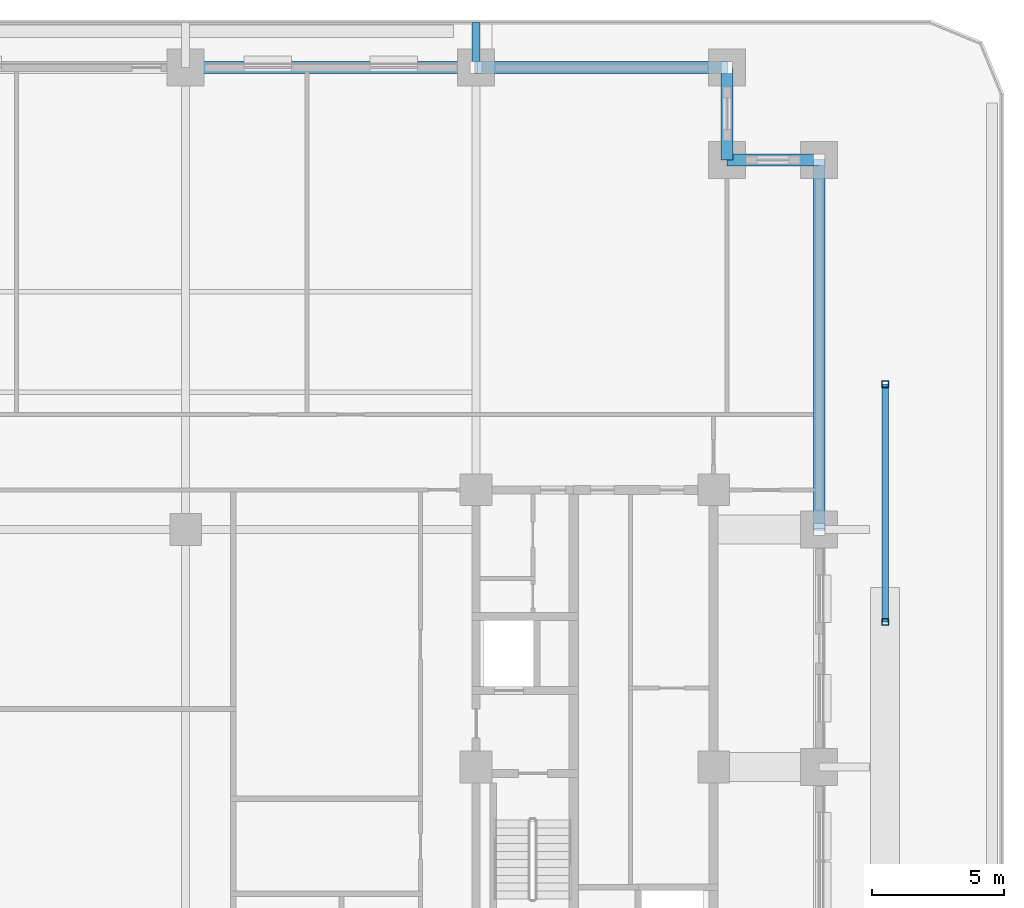
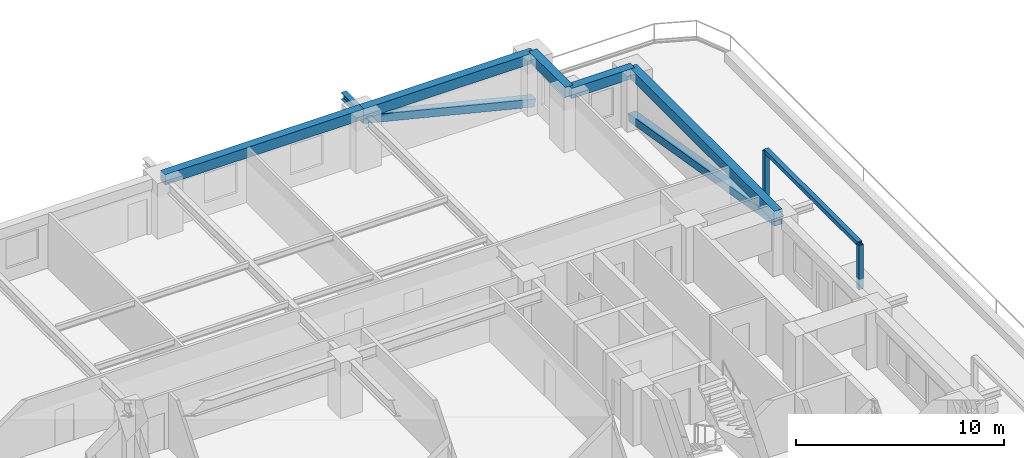
# One storey, part 4 of 18: 6 beams, 5 members.
"""IFC4 building model written with IfcOpenShell, lengths in metres."""

import ifcopenshell
import ifcopenshell.guid

model = None  # the IFC model being written
_history = None  # IfcOwnerHistory: only IFC2X3 demands one
_inside = {}  # id of a spatial element -> (the spatial element, [elements in it])
_under = {}  # id of a project, library or spatial element -> (it, [spatial elements below it])
_declared = {}  # id of a project -> (the project, [libraries it declares])
_typed = {}  # id of a type object -> (the type object, [elements of that type])
_made_of = {}  # id of a material, layer set ... -> (it, [elements and type objects made of it])


def new_model(schema):
    """Start an empty IFC model of exactly this schema.

    Asked for "IFC4X3", IfcOpenShell would pick the latest addendum, in which some entities
    have other attributes; the version numbers below select the first issue.
    IFC2X3 requires an IfcOwnerHistory on every rooted entity: one is made here for all.
    """
    global model, _history
    if schema == "IFC4X3":
        model = ifcopenshell.file(schema_version=(4, 3, 0, 0))
    else:
        model = ifcopenshell.file(schema=schema)
    _inside.clear()
    _under.clear()
    _declared.clear()
    _typed.clear()
    _made_of.clear()
    _history = None
    if model.schema == "IFC2X3":
        org = make("IfcOrganization", Name="unknown")
        user = make(
            "IfcPersonAndOrganization",
            ThePerson=make("IfcPerson", FamilyName="unknown"),
            TheOrganization=org,
        )
        app = make(
            "IfcApplication",
            ApplicationDeveloper=org,
            Version="unknown",
            ApplicationFullName="unknown",
            ApplicationIdentifier="unknown",
        )
        _history = make(
            "IfcOwnerHistory",
            OwningUser=user,
            OwningApplication=app,
            ChangeAction="ADDED",
            CreationDate=0,
        )
    return model


def make(cls, **values):
    """One entity of the class cls with the attributes given. An attribute that is None is left unset."""
    return model.create_entity(
        cls, **{name: value for name, value in values.items() if value is not None}
    )


def rooted(cls, **values):
    """An entity with a GlobalId (a new one), such as an element, a storey or a relation."""
    return make(cls, GlobalId=ifcopenshell.guid.new(), OwnerHistory=_history, **values)


def si_unit(unit_type, name, prefix=None):
    """IfcSIUnit, for example si_unit("LENGTHUNIT", "METRE", prefix="MILLI")."""
    return make("IfcSIUnit", UnitType=unit_type, Prefix=prefix, Name=name)


def assignment(units):
    """IfcUnitAssignment: the units of a project."""
    return None if units is None else make("IfcUnitAssignment", Units=units)


def point(xyz):
    """IfcCartesianPoint."""
    return None if xyz is None else make("IfcCartesianPoint", Coordinates=xyz)


def direction(xyz):
    """IfcDirection."""
    return None if xyz is None else make("IfcDirection", DirectionRatios=xyz)


def frame(location, z_axis=None, x_axis=None):
    """IfcAxis2Placement3D, a coordinate frame: its origin and axes. An axis left out is left unset."""
    return make(
        "IfcAxis2Placement3D",
        Location=point(location),
        Axis=direction(z_axis),
        RefDirection=direction(x_axis),
    )


def frame_2d(location, x_axis=None):
    """IfcAxis2Placement2D, a coordinate frame in the plane: its origin and x axis."""
    return make(
        "IfcAxis2Placement2D", Location=point(location), RefDirection=direction(x_axis)
    )


def origin():
    """The frame at (0, 0, 0) with its axes left unset."""
    return frame((0.0, 0.0, 0.0))


def origin_2d():
    """The frame at (0, 0) in the plane with its x axis left unset."""
    return frame_2d((0.0, 0.0))


def place(relative_to, where):
    """IfcLocalPlacement: puts the frame where relative to a parent placement (None: the world)."""
    return make(
        "IfcLocalPlacement", PlacementRelTo=relative_to, RelativePlacement=where
    )


def context(
    kind, dimensions, precision=None, world=None, true_north=None, identifier=None
):
    """IfcGeometricRepresentationContext, for example the 3D "Model" context."""
    return make(
        "IfcGeometricRepresentationContext",
        ContextIdentifier=identifier,
        ContextType=kind,
        CoordinateSpaceDimension=dimensions,
        Precision=precision,
        WorldCoordinateSystem=world,
        TrueNorth=true_north,
    )


def subcontext(parent, identifier, kind, view, scale=None):
    """IfcGeometricRepresentationSubContext, for example "Body" below "Model"."""
    return make(
        "IfcGeometricRepresentationSubContext",
        ContextIdentifier=identifier,
        ContextType=kind,
        ParentContext=parent,
        TargetScale=scale,
        TargetView=view,
    )


def project(units=None, contexts=None):
    """IfcProject with its units and contexts."""
    return rooted(
        "IfcProject",
        Name="project",
        RepresentationContexts=contexts,
        UnitsInContext=assignment(units),
    )


def spatial(cls, under=None, at=None, **own):
    """A site, building, storey or space (cls), placed at a placement, below another one or the project."""
    s = rooted(cls, ObjectPlacement=at, **own)
    if under is not None:
        _under.setdefault(under.id(), (under, []))[1].append(s)
    return s


def profile(cls, at=None, kind="AREA", **sizes):
    """A parametric profile (cls). Its sizes go by their IFC names, for example OverallWidth=200.0."""
    return make(cls, ProfileType=kind, Position=at, **sizes)


def rectangle(**sizes):
    """IfcRectangleProfileDef."""
    return profile("IfcRectangleProfileDef", **sizes)


def hollow_rectangle(**sizes):
    """IfcRectangleHollowProfileDef."""
    return profile("IfcRectangleHollowProfileDef", **sizes)


def i_section(**sizes):
    """IfcIShapeProfileDef."""
    return profile("IfcIShapeProfileDef", **sizes)


def extrude(swept, where, along, depth):
    """IfcExtrudedAreaSolid: the profile swept, set in the frame where, extruded along a direction by depth."""
    return make(
        "IfcExtrudedAreaSolid",
        SweptArea=swept,
        Position=where,
        ExtrudedDirection=direction(along),
        Depth=depth,
    )


def shape(context_of_items, identifier, shape_type, items):
    """IfcShapeRepresentation: the items that make up one representation, for example the "Body"."""
    return make(
        "IfcShapeRepresentation",
        ContextOfItems=context_of_items,
        RepresentationIdentifier=identifier,
        RepresentationType=shape_type,
        Items=items,
    )


def material(Name=None, Category=None):
    """IfcMaterial."""
    return make("IfcMaterial", Name=Name, Category=Category)


def material_profile(
    of_material, cross_section, Name=None, Category=None, Priority=None
):
    """IfcMaterialProfile: a cross section and its material."""
    return make(
        "IfcMaterialProfile",
        Name=Name,
        Material=of_material,
        Profile=cross_section,
        Priority=Priority,
        Category=Category,
    )


def profile_set(profiles, Name=None, composite=None):
    """IfcMaterialProfileSet."""
    return make(
        "IfcMaterialProfileSet",
        Name=Name,
        MaterialProfiles=profiles,
        CompositeProfile=composite,
    )


def made_of(thing, what):
    """Note that an element or type object is made of a material, layer set ...; save() writes the relation."""
    if what is not None:
        _made_of.setdefault(what.id(), (what, []))[1].append(thing)
    return thing


def type_object(cls, material=None, **own):
    """A type object (cls), such as IfcWallType, which elements share."""
    return made_of(rooted(cls, **own), material)


def element(
    cls,
    number,
    at=None,
    inside=None,
    cuts=None,
    type_object=None,
    material=None,
    context=None,
    identifier="Body",
    shape_type=None,
    held_by="IfcProductDefinitionShape",
    body=None,
    shapes=None,
    **own,
):
    """One element of the class cls, such as IfcWall. Its Tag is "e" and its number.

    at: its placement. inside: the storey or other place that contains it. cuts: it is an
    opening in that element (IfcRelVoidsElement). A single representation is given by context,
    identifier, shape_type and body (its items); several are given by shapes. held_by: the class
    of the entity that holds the representations. save() writes the other relations.
    """
    e = rooted(cls, Tag="e%d" % number, ObjectPlacement=at, **own)
    if body is not None:
        shapes = [shape(context, identifier, shape_type, body)]
    if shapes is not None:
        e.Representation = make(held_by, Representations=shapes)
    if inside is not None:
        _inside.setdefault(inside.id(), (inside, []))[1].append(e)
    if cuts is not None:
        rooted(
            "IfcRelVoidsElement", RelatingBuildingElement=cuts, RelatedOpeningElement=e
        )
    if type_object is not None:
        _typed.setdefault(type_object.id(), (type_object, []))[1].append(e)
    return made_of(e, material)


def aggregate(whole, parts):
    """IfcRelAggregates: a whole, such as a stair, and the parts it consists of."""
    return rooted("IfcRelAggregates", RelatingObject=whole, RelatedObjects=parts)


def save(model, path):
    """Write the relations noted so far, then the file.

    IfcRelAggregates (storeys below a building ...), IfcRelContainedInSpatialStructure (elements
    in a storey), IfcRelDefinesByType, IfcRelAssociatesMaterial and IfcRelDeclares: one each for
    every whole, place, type object, material and project.
    """
    for whole, parts in _under.values():
        aggregate(whole, parts)
    for where, things in _inside.values():
        rooted(
            "IfcRelContainedInSpatialStructure",
            RelatedElements=things,
            RelatingStructure=where,
        )
    for kind, things in _typed.values():
        rooted("IfcRelDefinesByType", RelatedObjects=things, RelatingType=kind)
    for what, things in _made_of.values():
        rooted("IfcRelAssociatesMaterial", RelatedObjects=things, RelatingMaterial=what)
    for by, libraries in _declared.values():
        rooted("IfcRelDeclares", RelatingContext=by, RelatedDefinitions=libraries)
    model.write(path)


model = new_model("IFC4")

# Units and contexts
model_context = context("Model", 3, precision=1e-05, world=origin(), true_north=direction((0.0, 1.0)))
body_context = subcontext(model_context, "Body", "Model", "MODEL_VIEW")
ifc_project = project(units=[si_unit("LENGTHUNIT", "METRE"), si_unit("AREAUNIT", "SQUARE_METRE"), si_unit("VOLUMEUNIT", "CUBIC_METRE"), si_unit("PLANEANGLEUNIT", "RADIAN"), si_unit("MASSUNIT", "GRAM", prefix="KILO")], contexts=[model_context])

# Site, building, storey
site_placement = place(None, origin())
site = spatial("IfcSite", under=ifc_project, at=site_placement, CompositionType="ELEMENT")
building_placement = place(site_placement, origin())
building = spatial("IfcBuilding", under=site, at=building_placement, Name="Zulmaris Gate Convention Tower", CompositionType="ELEMENT")
storey_placement = place(building_placement, frame((0.0, 0.0, 57.18994140625)))
storey = spatial("IfcBuildingStorey", under=building, at=storey_placement, Name="L13", CompositionType="ELEMENT", Elevation=57.18994140625)

# Beams
ifc_material_1 = material(Name="Steel S355", Category="steel")
ifc_material_profile_1 = material_profile(ifc_material_1, i_section(OverallWidth=0.300048828125, OverallDepth=0.39990234375, WebThickness=0.013427734375, FlangeThickness=0.02392578125, FilletRadius=0.027099609375, at=origin_2d()), Name="HEB 400")
ifc_profile_set_1 = profile_set([ifc_material_profile_1], Name="Steel S355")
beam_type_1 = type_object("IfcBeamType", Name="BM-HEB400", PredefinedType="BEAM", material=ifc_profile_set_1)
beam_1_placement = place(storey_placement, frame((11.0, 26.5, 2.93017578125), z_axis=(0.0, 1.0, 0.0), x_axis=(-1.0, 0.0, 0.0)))
element("IfcBeam", 1, at=beam_1_placement, inside=storey, type_object=beam_type_1, Name="L13 Beam TBRK-L13-N-+11", PredefinedType="BEAM", context=body_context, shape_type="SweptSolid", body=[
    extrude(i_section(OverallWidth=0.300048828125, OverallDepth=0.39990234375, WebThickness=0.013427734375, FlangeThickness=0.02392578125, FilletRadius=0.027099609375, at=origin_2d()), origin(), (0.0, 0.0, 1.0), 1.699951171875),
])
ifc_material_2 = material(Name="Precast concrete C50/60", Category="concrete")
ifc_material_profile_2 = material_profile(ifc_material_2, rectangle(XDim=0.449951171875, YDim=0.60009765625, at=origin_2d()), Name="RC SPANDREL 450x600")
ifc_profile_set_2 = profile_set([ifc_material_profile_2], Name="Precast concrete C50/60")
beam_type_2 = type_object("IfcBeamType", Name="BM-SP450x600", PredefinedType="SPANDREL", material=ifc_profile_set_2)
beam_2_placement = place(storey_placement, frame((24.0, 9.0, 2.969970703125), z_axis=(0.0, 1.0, 0.0), x_axis=(-1.0, 0.0, 0.0)))
element("IfcBeam", 2, at=beam_2_placement, inside=storey, type_object=beam_type_2, Name="L13 Spandrel SP-L13-10", PredefinedType="SPANDREL", context=body_context, shape_type="SweptSolid", body=[
    extrude(rectangle(XDim=0.449951171875, YDim=0.60009765625, at=origin_2d()), origin(), (0.0, 0.0, 1.0), 14.0),
])
for number, where, z_axis, x_axis, name in (
    (3, (24.0, 23.0, 2.969970703125), (-1.0, 0.0, 0.0), (0.0, -1.0, 0.0), "L13 Spandrel SP-L13-11"),
    (4, (20.5, 23.0, 2.969970703125), (0.0, 1.0, 0.0), (-1.0, 0.0, 0.0), "L13 Spandrel SP-L13-12"),
):
    element("IfcBeam", number, at=place(storey_placement, frame(where, z_axis=z_axis, x_axis=x_axis)), inside=storey, type_object=beam_type_2, Name=name, PredefinedType="SPANDREL", context=body_context, shape_type="SweptSolid", body=[
        extrude(rectangle(XDim=0.449951171875, YDim=0.60009765625, at=origin_2d()), origin(), (0.0, 0.0, 1.0), 3.5),
    ])
beam_3_placement = place(storey_placement, frame((20.5, 26.5, 2.969970703125), z_axis=(-1.0, 0.0, 0.0), x_axis=(0.0, -1.0, 0.0)))
element("IfcBeam", 5, at=beam_3_placement, inside=storey, type_object=beam_type_2, Name="L13 Spandrel SP-L13-13", PredefinedType="SPANDREL", context=body_context, shape_type="SweptSolid", body=[
    extrude(rectangle(XDim=0.449951171875, YDim=0.60009765625, at=origin_2d()), origin(), (0.0, 0.0, 1.0), 9.5),
])
beam_4_placement = place(storey_placement, frame((11.0, 26.5, 2.969970703125), z_axis=(-1.0, 0.0, 0.0), x_axis=(0.0, -1.0, 0.0)))
element("IfcBeam", 6, at=beam_4_placement, inside=storey, type_object=beam_type_2, Name="L13 Spandrel SP-L13-14", PredefinedType="SPANDREL", context=body_context, shape_type="SweptSolid", body=[
    extrude(rectangle(XDim=0.449951171875, YDim=0.60009765625, at=origin_2d()), origin(), (0.0, 0.0, 1.0), 11.0),
])

# Members
ifc_material_3 = material(Name="Steel S460", Category="steel")
ifc_material_profile_3 = material_profile(ifc_material_3, hollow_rectangle(XDim=0.449951171875, YDim=0.449951171875, WallThickness=0.02490234375, at=origin_2d()), Name="SHS 450x450x25")
ifc_profile_set_3 = profile_set([ifc_material_profile_3], Name="Steel S460")
member_type_1 = type_object("IfcMemberType", Name="BR-SHS450", PredefinedType="BRACE", material=ifc_profile_set_3)
member_1_placement = place(storey_placement, frame((24.0, 23.0, 0.300048828125), z_axis=(0.0, -0.986201752628, 0.165547887674), x_axis=(1.0, 0.0, 0.0)))
element("IfcMember", 7, at=member_1_placement, inside=storey, type_object=member_type_1, Name="L13 Perimeter Tube Diagonal NE-E", PredefinedType="BRACE", context=body_context, shape_type="SweptSolid", body=[
    extrude(hollow_rectangle(XDim=0.449951171875, YDim=0.449951171875, WallThickness=0.02490234375, at=origin_2d()), origin(), (0.0, 0.0, 1.0), 14.19580078125),
])
member_2_placement = place(storey_placement, frame((20.5, 26.5, 0.300048828125), z_axis=(-0.97073827245, 0.0, 0.240139972518), x_axis=(0.0, -1.0, 0.0)))
element("IfcMember", 8, at=member_2_placement, inside=storey, type_object=member_type_1, Name="L13 Perimeter Tube Diagonal NE-N", PredefinedType="BRACE", context=body_context, shape_type="SweptSolid", body=[
    extrude(hollow_rectangle(XDim=0.449951171875, YDim=0.449951171875, WallThickness=0.02490234375, at=origin_2d()), origin(), (0.0, 0.0, 1.0), 9.786376953125),
])
ifc_material_profile_4 = material_profile(ifc_material_1, hollow_rectangle(XDim=0.25, YDim=0.25, WallThickness=0.012451171875, at=origin_2d()), Name="SHS 250x250x12.5")
ifc_profile_set_4 = profile_set([ifc_material_profile_4], Name="Steel S355")
member_type_2 = type_object("IfcMemberType", Name="ST-SHS250", PredefinedType="STRUT", material=ifc_profile_set_4)
for number, where, z_axis, x_axis, name in (
    (9, (26.5, 5.5, -0.0400390625), (0.0, 0.0, 1.0), (1.0, 0.0, 0.0), "L13 Exposed Terrace Planted Pergola Post 2A"),
    (10, (26.5, 14.5, -0.0400390625), (0.0, 0.0, 1.0), (1.0, 0.0, 0.0), "L13 Exposed Terrace Planted Pergola Post 2B"),
):
    element("IfcMember", number, at=place(storey_placement, frame(where, z_axis=z_axis, x_axis=x_axis)), inside=storey, type_object=member_type_2, Name=name, PredefinedType="STRUT", context=body_context, shape_type="SweptSolid", body=[
        extrude(hollow_rectangle(XDim=0.25, YDim=0.25, WallThickness=0.012451171875, at=origin_2d()), origin(), (0.0, 0.0, 1.0), 2.60009765625),
    ])
member_3_placement = place(storey_placement, frame((26.5, 5.5, 2.56005859375), z_axis=(0.0, 1.0, 0.0), x_axis=(-1.0, 0.0, 0.0)))
element("IfcMember", 11, at=member_3_placement, inside=storey, type_object=member_type_2, Name="L13 Exposed Terrace Planted Pergola Beam 2", PredefinedType="STRUT", context=body_context, shape_type="SweptSolid", body=[
    extrude(hollow_rectangle(XDim=0.25, YDim=0.25, WallThickness=0.012451171875, at=origin_2d()), origin(), (0.0, 0.0, 1.0), 9.0),
])

save(model, "model.ifc")
